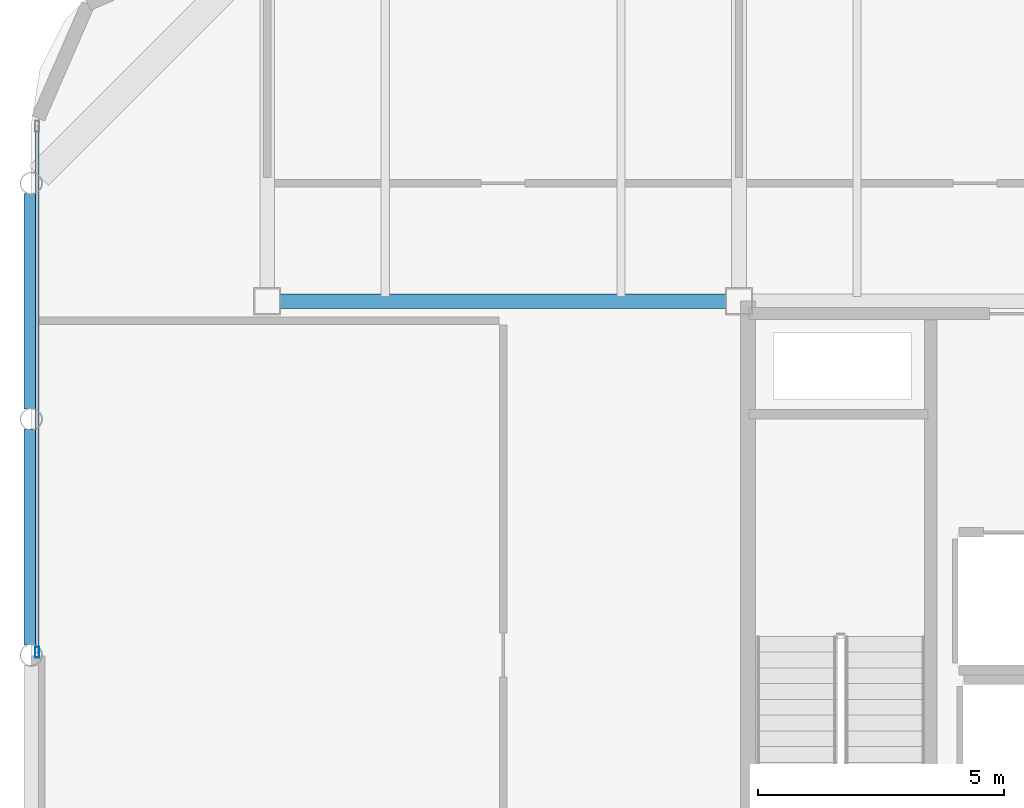
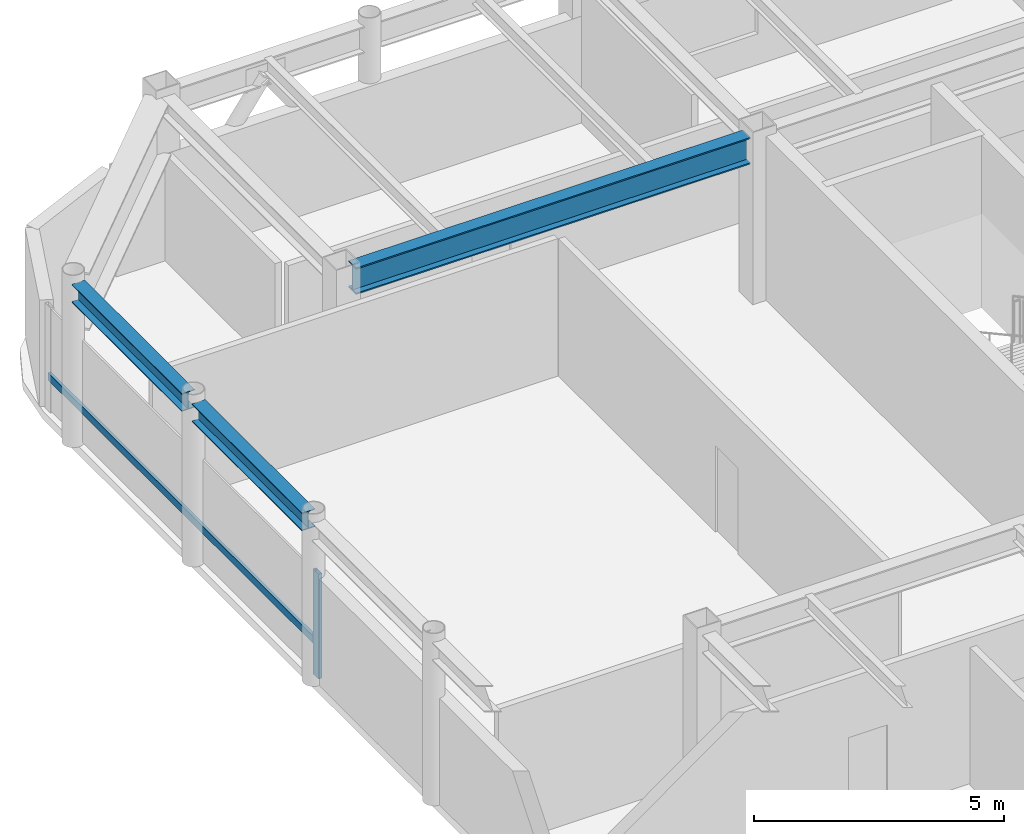
# One storey, part 7 of 21: 3 beams, 2 members, 1 element without a shape of its own.
"""IFC4 building model written with IfcOpenShell, lengths in metres."""

import ifcopenshell
import ifcopenshell.guid

model = None  # the IFC model being written
_history = None  # IfcOwnerHistory: only IFC2X3 demands one
_inside = {}  # id of a spatial element -> (the spatial element, [elements in it])
_under = {}  # id of a project, library or spatial element -> (it, [spatial elements below it])
_declared = {}  # id of a project -> (the project, [libraries it declares])
_typed = {}  # id of a type object -> (the type object, [elements of that type])
_made_of = {}  # id of a material, layer set ... -> (it, [elements and type objects made of it])


def new_model(schema):
    """Start an empty IFC model of exactly this schema.

    Asked for "IFC4X3", IfcOpenShell would pick the latest addendum, in which some entities
    have other attributes; the version numbers below select the first issue.
    IFC2X3 requires an IfcOwnerHistory on every rooted entity: one is made here for all.
    """
    global model, _history
    if schema == "IFC4X3":
        model = ifcopenshell.file(schema_version=(4, 3, 0, 0))
    else:
        model = ifcopenshell.file(schema=schema)
    _inside.clear()
    _under.clear()
    _declared.clear()
    _typed.clear()
    _made_of.clear()
    _history = None
    if model.schema == "IFC2X3":
        org = make("IfcOrganization", Name="unknown")
        user = make(
            "IfcPersonAndOrganization",
            ThePerson=make("IfcPerson", FamilyName="unknown"),
            TheOrganization=org,
        )
        app = make(
            "IfcApplication",
            ApplicationDeveloper=org,
            Version="unknown",
            ApplicationFullName="unknown",
            ApplicationIdentifier="unknown",
        )
        _history = make(
            "IfcOwnerHistory",
            OwningUser=user,
            OwningApplication=app,
            ChangeAction="ADDED",
            CreationDate=0,
        )
    return model


def make(cls, **values):
    """One entity of the class cls with the attributes given. An attribute that is None is left unset."""
    return model.create_entity(
        cls, **{name: value for name, value in values.items() if value is not None}
    )


def rooted(cls, **values):
    """An entity with a GlobalId (a new one), such as an element, a storey or a relation."""
    return make(cls, GlobalId=ifcopenshell.guid.new(), OwnerHistory=_history, **values)


def si_unit(unit_type, name, prefix=None):
    """IfcSIUnit, for example si_unit("LENGTHUNIT", "METRE", prefix="MILLI")."""
    return make("IfcSIUnit", UnitType=unit_type, Prefix=prefix, Name=name)


def assignment(units):
    """IfcUnitAssignment: the units of a project."""
    return None if units is None else make("IfcUnitAssignment", Units=units)


def point(xyz):
    """IfcCartesianPoint."""
    return None if xyz is None else make("IfcCartesianPoint", Coordinates=xyz)


def direction(xyz):
    """IfcDirection."""
    return None if xyz is None else make("IfcDirection", DirectionRatios=xyz)


def frame(location, z_axis=None, x_axis=None):
    """IfcAxis2Placement3D, a coordinate frame: its origin and axes. An axis left out is left unset."""
    return make(
        "IfcAxis2Placement3D",
        Location=point(location),
        Axis=direction(z_axis),
        RefDirection=direction(x_axis),
    )


def frame_2d(location, x_axis=None):
    """IfcAxis2Placement2D, a coordinate frame in the plane: its origin and x axis."""
    return make(
        "IfcAxis2Placement2D", Location=point(location), RefDirection=direction(x_axis)
    )


def origin():
    """The frame at (0, 0, 0) with its axes left unset."""
    return frame((0.0, 0.0, 0.0))


def origin_2d():
    """The frame at (0, 0) in the plane with its x axis left unset."""
    return frame_2d((0.0, 0.0))


def place(relative_to, where):
    """IfcLocalPlacement: puts the frame where relative to a parent placement (None: the world)."""
    return make(
        "IfcLocalPlacement", PlacementRelTo=relative_to, RelativePlacement=where
    )


def context(
    kind, dimensions, precision=None, world=None, true_north=None, identifier=None
):
    """IfcGeometricRepresentationContext, for example the 3D "Model" context."""
    return make(
        "IfcGeometricRepresentationContext",
        ContextIdentifier=identifier,
        ContextType=kind,
        CoordinateSpaceDimension=dimensions,
        Precision=precision,
        WorldCoordinateSystem=world,
        TrueNorth=true_north,
    )


def subcontext(parent, identifier, kind, view, scale=None):
    """IfcGeometricRepresentationSubContext, for example "Body" below "Model"."""
    return make(
        "IfcGeometricRepresentationSubContext",
        ContextIdentifier=identifier,
        ContextType=kind,
        ParentContext=parent,
        TargetScale=scale,
        TargetView=view,
    )


def project(units=None, contexts=None):
    """IfcProject with its units and contexts."""
    return rooted(
        "IfcProject",
        Name="project",
        RepresentationContexts=contexts,
        UnitsInContext=assignment(units),
    )


def spatial(cls, under=None, at=None, **own):
    """A site, building, storey or space (cls), placed at a placement, below another one or the project."""
    s = rooted(cls, ObjectPlacement=at, **own)
    if under is not None:
        _under.setdefault(under.id(), (under, []))[1].append(s)
    return s


def profile(cls, at=None, kind="AREA", **sizes):
    """A parametric profile (cls). Its sizes go by their IFC names, for example OverallWidth=200.0."""
    return make(cls, ProfileType=kind, Position=at, **sizes)


def hollow_rectangle(**sizes):
    """IfcRectangleHollowProfileDef."""
    return profile("IfcRectangleHollowProfileDef", **sizes)


def i_section(**sizes):
    """IfcIShapeProfileDef."""
    return profile("IfcIShapeProfileDef", **sizes)


def extrude(swept, where, along, depth):
    """IfcExtrudedAreaSolid: the profile swept, set in the frame where, extruded along a direction by depth."""
    return make(
        "IfcExtrudedAreaSolid",
        SweptArea=swept,
        Position=where,
        ExtrudedDirection=direction(along),
        Depth=depth,
    )


def shape(context_of_items, identifier, shape_type, items):
    """IfcShapeRepresentation: the items that make up one representation, for example the "Body"."""
    return make(
        "IfcShapeRepresentation",
        ContextOfItems=context_of_items,
        RepresentationIdentifier=identifier,
        RepresentationType=shape_type,
        Items=items,
    )


def material(Name=None, Category=None):
    """IfcMaterial."""
    return make("IfcMaterial", Name=Name, Category=Category)


def layer(
    of_material, thickness, ventilated=None, Name=None, Category=None, Priority=None
):
    """IfcMaterialLayer: one layer of a wall or slab, of a material (None: an air gap)."""
    return make(
        "IfcMaterialLayer",
        Material=of_material,
        LayerThickness=thickness,
        IsVentilated=ventilated,
        Name=Name,
        Category=Category,
        Priority=Priority,
    )


def layer_set(layers, Name=None):
    """IfcMaterialLayerSet."""
    return make("IfcMaterialLayerSet", MaterialLayers=layers, LayerSetName=Name)


def material_profile(
    of_material, cross_section, Name=None, Category=None, Priority=None
):
    """IfcMaterialProfile: a cross section and its material."""
    return make(
        "IfcMaterialProfile",
        Name=Name,
        Material=of_material,
        Profile=cross_section,
        Priority=Priority,
        Category=Category,
    )


def profile_set(profiles, Name=None, composite=None):
    """IfcMaterialProfileSet."""
    return make(
        "IfcMaterialProfileSet",
        Name=Name,
        MaterialProfiles=profiles,
        CompositeProfile=composite,
    )


def made_of(thing, what):
    """Note that an element or type object is made of a material, layer set ...; save() writes the relation."""
    if what is not None:
        _made_of.setdefault(what.id(), (what, []))[1].append(thing)
    return thing


def type_object(cls, material=None, **own):
    """A type object (cls), such as IfcWallType, which elements share."""
    return made_of(rooted(cls, **own), material)


def element(
    cls,
    number,
    at=None,
    inside=None,
    cuts=None,
    type_object=None,
    material=None,
    context=None,
    identifier="Body",
    shape_type=None,
    held_by="IfcProductDefinitionShape",
    body=None,
    shapes=None,
    **own,
):
    """One element of the class cls, such as IfcWall. Its Tag is "e" and its number.

    at: its placement. inside: the storey or other place that contains it. cuts: it is an
    opening in that element (IfcRelVoidsElement). A single representation is given by context,
    identifier, shape_type and body (its items); several are given by shapes. held_by: the class
    of the entity that holds the representations. save() writes the other relations.
    """
    e = rooted(cls, Tag="e%d" % number, ObjectPlacement=at, **own)
    if body is not None:
        shapes = [shape(context, identifier, shape_type, body)]
    if shapes is not None:
        e.Representation = make(held_by, Representations=shapes)
    if inside is not None:
        _inside.setdefault(inside.id(), (inside, []))[1].append(e)
    if cuts is not None:
        rooted(
            "IfcRelVoidsElement", RelatingBuildingElement=cuts, RelatedOpeningElement=e
        )
    if type_object is not None:
        _typed.setdefault(type_object.id(), (type_object, []))[1].append(e)
    return made_of(e, material)


def aggregate(whole, parts):
    """IfcRelAggregates: a whole, such as a stair, and the parts it consists of."""
    return rooted("IfcRelAggregates", RelatingObject=whole, RelatedObjects=parts)


def save(model, path):
    """Write the relations noted so far, then the file.

    IfcRelAggregates (storeys below a building ...), IfcRelContainedInSpatialStructure (elements
    in a storey), IfcRelDefinesByType, IfcRelAssociatesMaterial and IfcRelDeclares: one each for
    every whole, place, type object, material and project.
    """
    for whole, parts in _under.values():
        aggregate(whole, parts)
    for where, things in _inside.values():
        rooted(
            "IfcRelContainedInSpatialStructure",
            RelatedElements=things,
            RelatingStructure=where,
        )
    for kind, things in _typed.values():
        rooted("IfcRelDefinesByType", RelatedObjects=things, RelatingType=kind)
    for what, things in _made_of.values():
        rooted("IfcRelAssociatesMaterial", RelatedObjects=things, RelatingMaterial=what)
    for by, libraries in _declared.values():
        rooted("IfcRelDeclares", RelatingContext=by, RelatedDefinitions=libraries)
    model.write(path)


model = new_model("IFC4")

# Units and contexts
model_context = context("Model", 3, precision=1e-05, world=origin(), true_north=direction((0.0, 1.0)))
body_context = subcontext(model_context, "Body", "Model", "MODEL_VIEW")
ifc_project = project(units=[si_unit("LENGTHUNIT", "METRE"), si_unit("AREAUNIT", "SQUARE_METRE"), si_unit("VOLUMEUNIT", "CUBIC_METRE"), si_unit("PLANEANGLEUNIT", "RADIAN"), si_unit("MASSUNIT", "GRAM", prefix="KILO")], contexts=[model_context])

# Site, building, storey
site_placement = place(None, origin())
site = spatial("IfcSite", under=ifc_project, at=site_placement, CompositionType="ELEMENT")
building_placement = place(site_placement, origin())
building = spatial("IfcBuilding", under=site, at=building_placement, Name="Kallvorn Hotel Tower", CompositionType="ELEMENT")
storey_placement = place(building_placement, frame((0.0, 0.0, 286.39990234375)))
storey = spatial("IfcBuildingStorey", under=building, at=storey_placement, Name="L71", CompositionType="ELEMENT", Elevation=286.39990234375)

# Beams
ifc_material_1 = material(Name="Structural steel S355JR", Category="steel")
ifc_material_profile_1 = material_profile(ifc_material_1, i_section(OverallWidth=0.300048828125, OverallDepth=0.43994140625, WebThickness=0.011474609375, FlangeThickness=0.02099609375, at=origin_2d()), Name="HE 450 A")
ifc_profile_set_1 = profile_set([ifc_material_profile_1], Name="Structural steel S355JR")
beam_type_1 = type_object("IfcBeamType", Name="BM_HE450A", PredefinedType="BEAM", material=ifc_profile_set_1)
beam_1_placement = place(storey_placement, frame((-28.800048828125, 0.20361328125, 3.780029296875), z_axis=(0.0, 1.0, 0.0), x_axis=(-1.0, 0.0, 0.0)))
element("IfcBeam", 1, at=beam_1_placement, inside=storey, type_object=beam_type_1, Name="L72 Primary Y-Girder 29", PredefinedType="BEAM", context=body_context, shape_type="SweptSolid", body=[
    extrude(i_section(OverallWidth=0.300048828125, OverallDepth=0.43994140625, WebThickness=0.011474609375, FlangeThickness=0.02099609375, at=origin_2d()), origin(), (0.0, 0.0, 1.0), 4.392822265625),
])
beam_2_placement = place(storey_placement, frame((-28.800048828125, 5.00341796875, 3.780029296875), z_axis=(0.0, 1.0, 0.0), x_axis=(-1.0, 0.0, 0.0)))
element("IfcBeam", 2, at=beam_2_placement, inside=storey, type_object=beam_type_1, Name="L72 Primary Y-Girder 30", PredefinedType="BEAM", context=body_context, shape_type="SweptSolid", body=[
    extrude(i_section(OverallWidth=0.300048828125, OverallDepth=0.43994140625, WebThickness=0.011474609375, FlangeThickness=0.02099609375, at=origin_2d()), origin(), (0.0, 0.0, 1.0), 4.39306640625),
])
ifc_material_2 = material(Name="Structural steel S355JR", Category="steel")
ifc_material_profile_2 = material_profile(ifc_material_2, i_section(OverallWidth=0.300048828125, OverallDepth=0.64990234375, WebThickness=0.01611328125, FlangeThickness=0.031005859375, at=origin_2d()), Name="HE 650 B")
ifc_profile_set_2 = profile_set([ifc_material_profile_2], Name="Structural steel S355JR")
beam_type_2 = type_object("IfcBeamType", Name="BM_HE650B", PredefinedType="BEAM", material=ifc_profile_set_2)
beam_3_placement = place(storey_placement, frame((-23.75, 7.199951171875, 3.675048828125), z_axis=(1.0, 0.0, 0.0), x_axis=(0.0, 1.0, 0.0)))
element("IfcBeam", 3, at=beam_3_placement, inside=storey, type_object=beam_type_2, Name="L72 Primary X-Girder 11", PredefinedType="BEAM", context=body_context, shape_type="SweptSolid", body=[
    extrude(i_section(OverallWidth=0.300048828125, OverallDepth=0.64990234375, WebThickness=0.01611328125, FlangeThickness=0.031005859375, at=origin_2d()), origin(), (0.0, 0.0, 1.0), 9.10009765625),
])

# Curtain wall, members
ifc_material_3 = material(Name="Thermally broken black-anodised aluminium AA 6063-T6", Category="aluminium")
ifc_layer = layer(ifc_material_3, 0.25)
ifc_layer_set = layer_set([ifc_layer], Name="CW_SYS_6_SUMMIT_OBS")
curtain_wall_type = type_object("IfcCurtainWallType", Name="CW_SYS_6_SUMMIT_OBS", PredefinedType="USERDEFINED", material=ifc_layer_set)
curtain_wall_placement = place(storey_placement, origin())
curtain_wall = element("IfcCurtainWall", 4, at=curtain_wall_placement, inside=storey, type_object=curtain_wall_type, Name="L71 Dark-Glass Curtain Wall CW-L71-WN", ObjectType="UNITISED CURTAIN WALL", PredefinedType="USERDEFINED")
ifc_material_4 = material(Name="Thermally broken black-anodised aluminium AA 6063-T6", Category="aluminium")
ifc_material_profile_3 = material_profile(ifc_material_4, hollow_rectangle(XDim=0.080078125, YDim=0.219970703125, WallThickness=0.0048828125, at=origin_2d()), Name="MUL 220x80")
ifc_profile_set_3 = profile_set([ifc_material_profile_3], Name="Thermally broken black-anodised aluminium AA 6063-T6")
member_type_1 = type_object("IfcMemberType", Name="CW_MULLION_220x80", PredefinedType="MULLION", material=ifc_profile_set_3)
member_1_placement = place(storey_placement, frame((-28.679931640625, 0.06005859375, 0.02001953125), z_axis=(0.0, 0.0, 1.0), x_axis=(1.0, 0.0, 0.0)))
member_1 = element("IfcMember", 5, at=member_1_placement, type_object=member_type_1, Name="CW-L71-WN Mullion 00", PredefinedType="MULLION", context=body_context, shape_type="SweptSolid", body=[
    extrude(hollow_rectangle(XDim=0.080078125, YDim=0.219970703125, WallThickness=0.0048828125, at=origin_2d()), origin(), (0.0, 0.0, 1.0), 2.56005859375),
])
ifc_material_5 = material(Name="Thermally broken black-anodised aluminium AA 6063-T6", Category="aluminium")
ifc_material_profile_4 = material_profile(ifc_material_5, hollow_rectangle(XDim=0.070068359375, YDim=0.179931640625, WallThickness=0.00390625, at=origin_2d()), Name="TRN 180x70")
ifc_profile_set_4 = profile_set([ifc_material_profile_4], Name="Thermally broken black-anodised aluminium AA 6063-T6")
member_type_2 = type_object("IfcMemberType", Name="CW_TRANSOM_180x70", PredefinedType="USERDEFINED", material=ifc_profile_set_4)
member_2_placement = place(storey_placement, frame((-28.679931640625, 0.06005859375, 0.85009765625), z_axis=(0.0, 1.0, 0.0), x_axis=(-1.0, 0.0, 0.0)))
member_2 = element("IfcMember", 6, at=member_2_placement, type_object=member_type_2, Name="CW-L71-WN Transom 00M", ObjectType="TRANSOM", PredefinedType="USERDEFINED", context=body_context, shape_type="SweptSolid", body=[
    extrude(hollow_rectangle(XDim=0.070068359375, YDim=0.179931640625, WallThickness=0.00390625, at=origin_2d()), origin(), (0.0, 0.0, 1.0), 10.699951171875),
])
aggregate(curtain_wall, [member_1, member_2])

save(model, "model.ifc")
